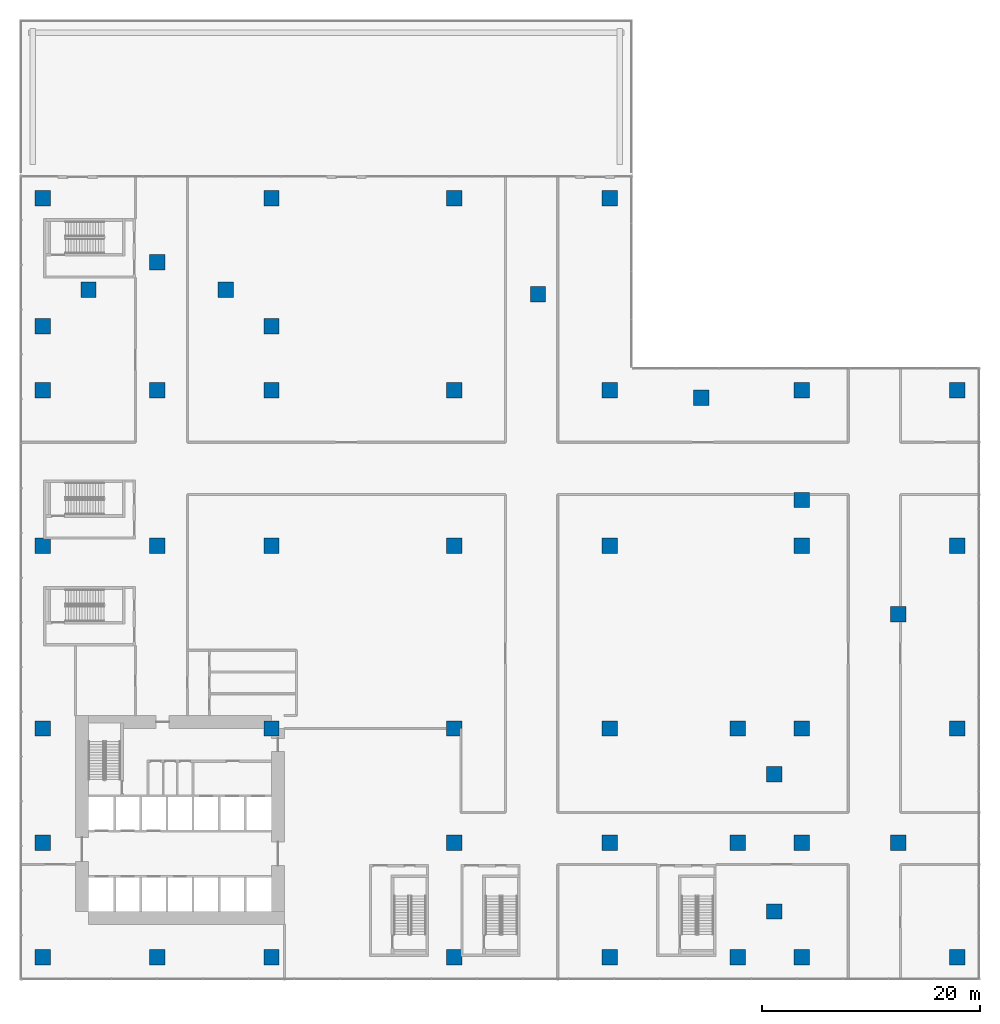
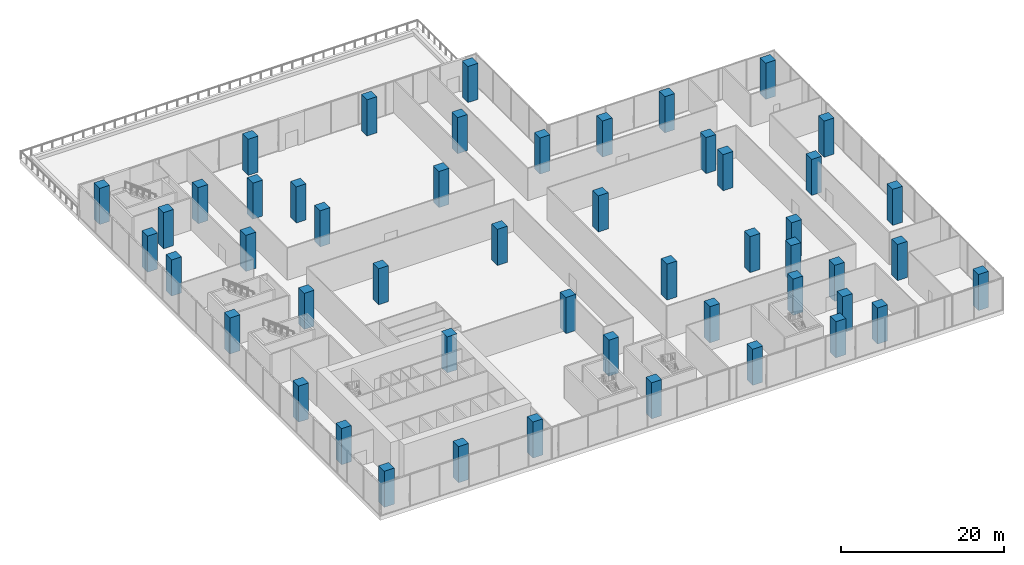
# One storey, part 1 of 24: 50 columns.
"""IFC4 building model written with IfcOpenShell, lengths in metres."""

from ifc_helpers import new_model, si_unit, direction, frame, origin, origin_2d, place, context, subcontext, project, spatial, rectangle, extrude, source, transform, mapped, material, material_profile, profile_set, type_object, element, save


model = new_model("IFC4")

# Units and contexts
model_context = context("Model", 3, precision=1e-05, world=origin(), true_north=direction((0.0, 1.0)))
body_context = subcontext(model_context, "Body", "Model", "MODEL_VIEW")
ifc_project = project(units=[si_unit("LENGTHUNIT", "METRE"), si_unit("AREAUNIT", "SQUARE_METRE"), si_unit("VOLUMEUNIT", "CUBIC_METRE"), si_unit("PLANEANGLEUNIT", "RADIAN"), si_unit("MASSUNIT", "GRAM", prefix="KILO")], contexts=[model_context])

# Site, building, storey
site_placement = place(None, origin())
site = spatial("IfcSite", under=ifc_project, at=site_placement, CompositionType="ELEMENT")
building_placement = place(site_placement, origin())
building = spatial("IfcBuilding", under=site, at=building_placement, Name="Aurelian Terraces", CompositionType="ELEMENT")
storey_placement = place(building_placement, frame((0.0, 0.0, 12.9)))
storey = spatial("IfcBuildingStorey", under=building, at=storey_placement, Name="L02", CompositionType="ELEMENT", Elevation=12.9)

# Columns
ifc_material = material(Name="Concrete fc' 83 MPa", Category="concrete")
ifc_material_profile = material_profile(ifc_material, rectangle(XDim=1.4, YDim=1.4, at=origin_2d()))
ifc_profile_set = profile_set([ifc_material_profile], Name="Concrete fc' 83 MPa")
column_type = type_object("IfcColumnType", Name="RC COLUMN 1400X1400 FC83", PredefinedType="COLUMN", material=ifc_profile_set)
shared_shape = source(origin(), body_context, "Body", "SweptSolid", [
    extrude(rectangle(XDim=1.4, YDim=1.4, at=origin_2d()), origin(), (0.0, 0.0, 1.0), 5.4),
])
for number, where, z_axis, x_axis, name in (
    (1, (0.0, 0.0, 0.0), (0.0, 0.0, 1.0), (1.0, 0.0, 0.0), "Column 1/A L02"),
    (2, (0.0, 10.5, 0.0), (0.0, 0.0, 1.0), (1.0, 0.0, 0.0), "Column 1/B L02"),
    (3, (0.0, 21.0, 0.0), (0.0, 0.0, 1.0), (1.0, 0.0, 0.0), "Column 1/C L02"),
    (4, (0.0, 37.8, 0.0), (0.0, 0.0, 1.0), (1.0, 0.0, 0.0), "Column 1/E L02"),
    (5, (0.0, 52.08, 0.0), (0.0, 0.0, 1.0), (1.0, 0.0, 0.0), "Column 1/G L02"),
    (6, (0.0, 57.96, 0.0), (0.0, 0.0, 1.0), (1.0, 0.0, 0.0), "Column 1/H L02"),
    (7, (0.0, 69.72, 0.0), (0.0, 0.0, 1.0), (1.0, 0.0, 0.0), "Column 1/J L02"),
    (8, (4.2, 61.32, 0.0), (0.0, 0.0, 1.0), (1.0, 0.0, 0.0), "Column 4.20/61.32 L02"),
    (9, (10.5, 0.0, 0.0), (0.0, 0.0, 1.0), (1.0, 0.0, 0.0), "Column 2/A L02"),
    (10, (10.5, 37.8, 0.0), (0.0, 0.0, 1.0), (1.0, 0.0, 0.0), "Column 2/E L02"),
    (11, (10.5, 52.08, 0.0), (0.0, 0.0, 1.0), (1.0, 0.0, 0.0), "Column 2/G L02"),
    (12, (10.5, 63.84, 0.0), (0.0, 0.0, 1.0), (1.0, 0.0, 0.0), "Column 2/I L02"),
    (13, (16.8, 61.32, 0.0), (0.0, 0.0, 1.0), (1.0, 0.0, 0.0), "Column 16.80/61.32 L02"),
    (14, (21.0, 0.0, 0.0), (0.0, 0.0, 1.0), (1.0, 0.0, 0.0), "Column 3/A L02"),
    (15, (21.0, 21.0, 0.0), (0.0, 0.0, 1.0), (1.0, 0.0, 0.0), "Column 3/C L02"),
    (16, (21.0, 37.8, 0.0), (0.0, 0.0, 1.0), (1.0, 0.0, 0.0), "Column 3/E L02"),
    (17, (21.0, 52.08, 0.0), (0.0, 0.0, 1.0), (1.0, 0.0, 0.0), "Column 3/G L02"),
    (18, (21.0, 57.96, 0.0), (0.0, 0.0, 1.0), (1.0, 0.0, 0.0), "Column 3/H L02"),
    (19, (21.0, 69.72, 0.0), (0.0, 0.0, 1.0), (1.0, 0.0, 0.0), "Column 3/J L02"),
    (20, (37.8, 0.0, 0.0), (0.0, 0.0, 1.0), (1.0, 0.0, 0.0), "Column 5/A L02"),
    (21, (37.8, 10.5, 0.0), (0.0, 0.0, 1.0), (1.0, 0.0, 0.0), "Column 5/B L02"),
    (22, (37.8, 21.0, 0.0), (0.0, 0.0, 1.0), (1.0, 0.0, 0.0), "Column 5/C L02"),
    (23, (37.8, 37.8, 0.0), (0.0, 0.0, 1.0), (1.0, 0.0, 0.0), "Column 5/E L02"),
    (24, (37.8, 52.08, 0.0), (0.0, 0.0, 1.0), (1.0, 0.0, 0.0), "Column 5/G L02"),
    (25, (37.8, 69.72, 0.0), (0.0, 0.0, 1.0), (1.0, 0.0, 0.0), "Column 5/J L02"),
    (26, (45.5, 60.9, 0.0), (0.0, 0.0, 1.0), (1.0, 0.0, 0.0), "Column 45.50/60.90 L02"),
    (27, (52.08, 0.0, 0.0), (0.0, 0.0, 1.0), (1.0, 0.0, 0.0), "Column 7/A L02"),
    (28, (52.08, 10.5, 0.0), (0.0, 0.0, 1.0), (1.0, 0.0, 0.0), "Column 7/B L02"),
    (29, (52.08, 21.0, 0.0), (0.0, 0.0, 1.0), (1.0, 0.0, 0.0), "Column 7/C L02"),
    (30, (52.08, 37.8, 0.0), (0.0, 0.0, 1.0), (1.0, 0.0, 0.0), "Column 7/E L02"),
    (31, (52.08, 52.08, 0.0), (0.0, 0.0, 1.0), (1.0, 0.0, 0.0), "Column 7/G L02"),
    (32, (52.08, 69.72, 0.0), (0.0, 0.0, 1.0), (1.0, 0.0, 0.0), "Column 7/J L02"),
    (33, (60.5, 51.4, 0.0), (0.0, 0.0, 1.0), (1.0, 0.0, 0.0), "Column 60.50/51.40 L02"),
    (34, (63.84, 0.0, 0.0), (0.0, 0.0, 1.0), (1.0, 0.0, 0.0), "Column 9/A L02"),
    (35, (63.84, 10.5, 0.0), (0.0, 0.0, 1.0), (1.0, 0.0, 0.0), "Column 9/B L02"),
    (36, (63.84, 21.0, 0.0), (0.0, 0.0, 1.0), (1.0, 0.0, 0.0), "Column 9/C L02"),
    (37, (67.2, 4.2, 0.0), (0.0, 0.0, 1.0), (1.0, 0.0, 0.0), "Column 67.20/4.20 L02"),
    (38, (67.2, 16.8, 0.0), (0.0, 0.0, 1.0), (1.0, 0.0, 0.0), "Column 67.20/16.80 L02"),
    (39, (69.72, 0.0, 0.0), (0.0, 0.0, 1.0), (1.0, 0.0, 0.0), "Column 10/A L02"),
    (40, (69.72, 10.5, 0.0), (0.0, 0.0, 1.0), (1.0, 0.0, 0.0), "Column 10/B L02"),
    (41, (69.72, 21.0, 0.0), (0.0, 0.0, 1.0), (1.0, 0.0, 0.0), "Column 10/C L02"),
    (42, (69.72, 37.8, 0.0), (0.0, 0.0, 1.0), (1.0, 0.0, 0.0), "Column 10/E L02"),
    (43, (69.72, 42.0, 0.0), (0.0, 0.0, 1.0), (1.0, 0.0, 0.0), "Column 69.72/42.00 L02"),
    (44, (69.72, 52.08, 0.0), (0.0, 0.0, 1.0), (1.0, 0.0, 0.0), "Column 10/G L02"),
    (45, (78.6, 10.5, 0.0), (0.0, 0.0, 1.0), (1.0, 0.0, 0.0), "Column 78.60/10.50 L02"),
    (46, (78.6, 31.5, 0.0), (0.0, 0.0, 1.0), (1.0, 0.0, 0.0), "Column 78.60/31.50 L02"),
    (47, (84.0, 0.0, 0.0), (0.0, 0.0, 1.0), (1.0, 0.0, 0.0), "Column 11/A L02"),
    (48, (84.0, 21.0, 0.0), (0.0, 0.0, 1.0), (1.0, 0.0, 0.0), "Column 11/C L02"),
    (49, (84.0, 37.8, 0.0), (0.0, 0.0, 1.0), (1.0, 0.0, 0.0), "Column 11/E L02"),
    (50, (84.0, 52.08, 0.0), (0.0, 0.0, 1.0), (1.0, 0.0, 0.0), "Column 11/G L02"),
):
    element("IfcColumn", number, at=place(storey_placement, frame(where, z_axis=z_axis, x_axis=x_axis)), inside=storey, type_object=column_type, Name=name, PredefinedType="COLUMN", context=body_context, shape_type="MappedRepresentation", body=[
        mapped(shared_shape, transform((0.0, 0.0, 0.0), scale=1.0)),
    ])

save(model, "model.ifc")
